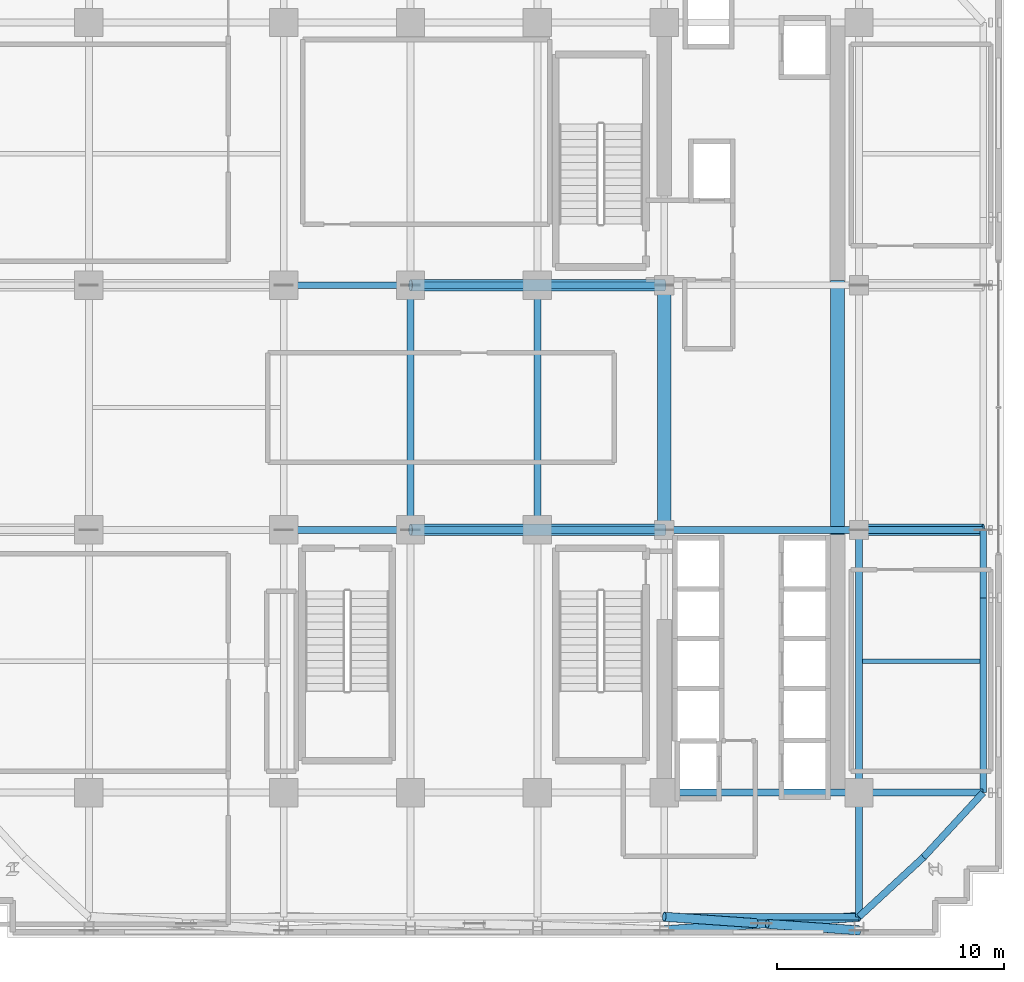
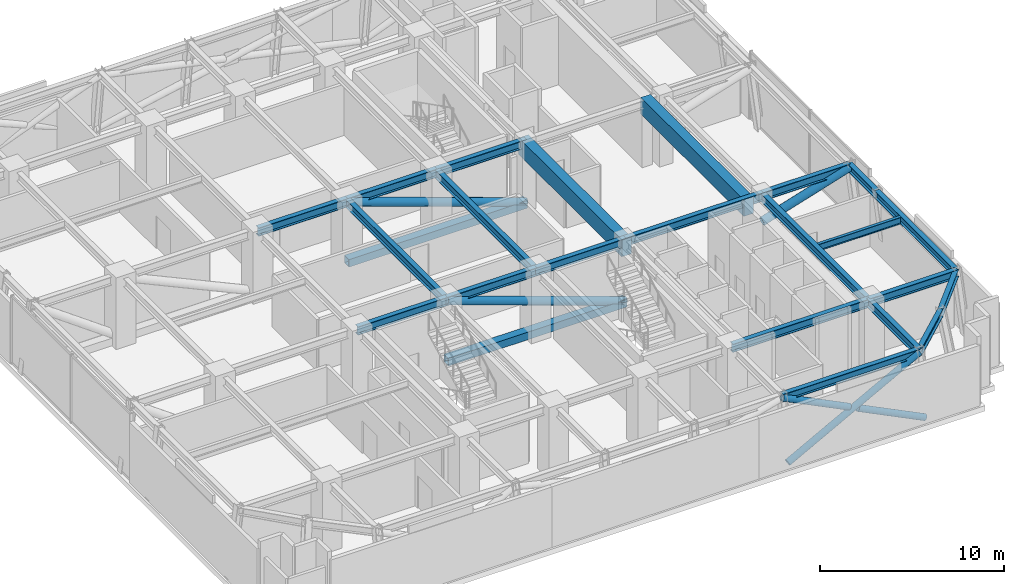
# One storey, part 5 of 15: 22 beams, 8 members.
"""IFC4 building model written with IfcOpenShell, lengths in metres."""

import ifcopenshell
import ifcopenshell.guid

model = None  # the IFC model being written
_history = None  # IfcOwnerHistory: only IFC2X3 demands one
_inside = {}  # id of a spatial element -> (the spatial element, [elements in it])
_under = {}  # id of a project, library or spatial element -> (it, [spatial elements below it])
_declared = {}  # id of a project -> (the project, [libraries it declares])
_typed = {}  # id of a type object -> (the type object, [elements of that type])
_made_of = {}  # id of a material, layer set ... -> (it, [elements and type objects made of it])


def new_model(schema):
    """Start an empty IFC model of exactly this schema.

    Asked for "IFC4X3", IfcOpenShell would pick the latest addendum, in which some entities
    have other attributes; the version numbers below select the first issue.
    IFC2X3 requires an IfcOwnerHistory on every rooted entity: one is made here for all.
    """
    global model, _history
    if schema == "IFC4X3":
        model = ifcopenshell.file(schema_version=(4, 3, 0, 0))
    else:
        model = ifcopenshell.file(schema=schema)
    _inside.clear()
    _under.clear()
    _declared.clear()
    _typed.clear()
    _made_of.clear()
    _history = None
    if model.schema == "IFC2X3":
        org = make("IfcOrganization", Name="unknown")
        user = make(
            "IfcPersonAndOrganization",
            ThePerson=make("IfcPerson", FamilyName="unknown"),
            TheOrganization=org,
        )
        app = make(
            "IfcApplication",
            ApplicationDeveloper=org,
            Version="unknown",
            ApplicationFullName="unknown",
            ApplicationIdentifier="unknown",
        )
        _history = make(
            "IfcOwnerHistory",
            OwningUser=user,
            OwningApplication=app,
            ChangeAction="ADDED",
            CreationDate=0,
        )
    return model


def make(cls, **values):
    """One entity of the class cls with the attributes given. An attribute that is None is left unset."""
    return model.create_entity(
        cls, **{name: value for name, value in values.items() if value is not None}
    )


def rooted(cls, **values):
    """An entity with a GlobalId (a new one), such as an element, a storey or a relation."""
    return make(cls, GlobalId=ifcopenshell.guid.new(), OwnerHistory=_history, **values)


def si_unit(unit_type, name, prefix=None):
    """IfcSIUnit, for example si_unit("LENGTHUNIT", "METRE", prefix="MILLI")."""
    return make("IfcSIUnit", UnitType=unit_type, Prefix=prefix, Name=name)


def assignment(units):
    """IfcUnitAssignment: the units of a project."""
    return None if units is None else make("IfcUnitAssignment", Units=units)


def point(xyz):
    """IfcCartesianPoint."""
    return None if xyz is None else make("IfcCartesianPoint", Coordinates=xyz)


def direction(xyz):
    """IfcDirection."""
    return None if xyz is None else make("IfcDirection", DirectionRatios=xyz)


def frame(location, z_axis=None, x_axis=None):
    """IfcAxis2Placement3D, a coordinate frame: its origin and axes. An axis left out is left unset."""
    return make(
        "IfcAxis2Placement3D",
        Location=point(location),
        Axis=direction(z_axis),
        RefDirection=direction(x_axis),
    )


def frame_2d(location, x_axis=None):
    """IfcAxis2Placement2D, a coordinate frame in the plane: its origin and x axis."""
    return make(
        "IfcAxis2Placement2D", Location=point(location), RefDirection=direction(x_axis)
    )


def origin():
    """The frame at (0, 0, 0) with its axes left unset."""
    return frame((0.0, 0.0, 0.0))


def origin_2d():
    """The frame at (0, 0) in the plane with its x axis left unset."""
    return frame_2d((0.0, 0.0))


def place(relative_to, where):
    """IfcLocalPlacement: puts the frame where relative to a parent placement (None: the world)."""
    return make(
        "IfcLocalPlacement", PlacementRelTo=relative_to, RelativePlacement=where
    )


def context(
    kind, dimensions, precision=None, world=None, true_north=None, identifier=None
):
    """IfcGeometricRepresentationContext, for example the 3D "Model" context."""
    return make(
        "IfcGeometricRepresentationContext",
        ContextIdentifier=identifier,
        ContextType=kind,
        CoordinateSpaceDimension=dimensions,
        Precision=precision,
        WorldCoordinateSystem=world,
        TrueNorth=true_north,
    )


def subcontext(parent, identifier, kind, view, scale=None):
    """IfcGeometricRepresentationSubContext, for example "Body" below "Model"."""
    return make(
        "IfcGeometricRepresentationSubContext",
        ContextIdentifier=identifier,
        ContextType=kind,
        ParentContext=parent,
        TargetScale=scale,
        TargetView=view,
    )


def project(units=None, contexts=None):
    """IfcProject with its units and contexts."""
    return rooted(
        "IfcProject",
        Name="project",
        RepresentationContexts=contexts,
        UnitsInContext=assignment(units),
    )


def spatial(cls, under=None, at=None, **own):
    """A site, building, storey or space (cls), placed at a placement, below another one or the project."""
    s = rooted(cls, ObjectPlacement=at, **own)
    if under is not None:
        _under.setdefault(under.id(), (under, []))[1].append(s)
    return s


def profile(cls, at=None, kind="AREA", **sizes):
    """A parametric profile (cls). Its sizes go by their IFC names, for example OverallWidth=200.0."""
    return make(cls, ProfileType=kind, Position=at, **sizes)


def rectangle(**sizes):
    """IfcRectangleProfileDef."""
    return profile("IfcRectangleProfileDef", **sizes)


def hollow_rectangle(**sizes):
    """IfcRectangleHollowProfileDef."""
    return profile("IfcRectangleHollowProfileDef", **sizes)


def hollow_circle(**sizes):
    """IfcCircleHollowProfileDef."""
    return profile("IfcCircleHollowProfileDef", **sizes)


def i_section(**sizes):
    """IfcIShapeProfileDef."""
    return profile("IfcIShapeProfileDef", **sizes)


def extrude(swept, where, along, depth):
    """IfcExtrudedAreaSolid: the profile swept, set in the frame where, extruded along a direction by depth."""
    return make(
        "IfcExtrudedAreaSolid",
        SweptArea=swept,
        Position=where,
        ExtrudedDirection=direction(along),
        Depth=depth,
    )


def shape(context_of_items, identifier, shape_type, items):
    """IfcShapeRepresentation: the items that make up one representation, for example the "Body"."""
    return make(
        "IfcShapeRepresentation",
        ContextOfItems=context_of_items,
        RepresentationIdentifier=identifier,
        RepresentationType=shape_type,
        Items=items,
    )


def source(mapping_origin, context_of_items, identifier, shape_type, items):
    """IfcRepresentationMap: a shape defined once, which mapped items show again and again."""
    return make(
        "IfcRepresentationMap",
        MappingOrigin=mapping_origin,
        MappedRepresentation=shape(context_of_items, identifier, shape_type, items),
    )


def transform(
    local_origin,
    x_axis=None,
    y_axis=None,
    z_axis=None,
    scale=None,
    scale2=None,
    scale3=None,
    uniform=True,
):
    """IfcCartesianTransformationOperator3D, or its non-uniform kind. x_axis, y_axis, z_axis: its Axis1, 2, 3."""
    if uniform:
        return make(
            "IfcCartesianTransformationOperator3D",
            Axis1=direction(x_axis),
            Axis2=direction(y_axis),
            LocalOrigin=point(local_origin),
            Scale=scale,
            Axis3=direction(z_axis),
        )
    return make(
        "IfcCartesianTransformationOperator3DnonUniform",
        Axis1=direction(x_axis),
        Axis2=direction(y_axis),
        LocalOrigin=point(local_origin),
        Scale=scale,
        Axis3=direction(z_axis),
        Scale2=scale2,
        Scale3=scale3,
    )


def mapped(mapping_source, mapping_target):
    """IfcMappedItem: shows the shape of a source again, moved by a transform."""
    return make(
        "IfcMappedItem", MappingSource=mapping_source, MappingTarget=mapping_target
    )


def material(Name=None, Category=None):
    """IfcMaterial."""
    return make("IfcMaterial", Name=Name, Category=Category)


def material_profile(
    of_material, cross_section, Name=None, Category=None, Priority=None
):
    """IfcMaterialProfile: a cross section and its material."""
    return make(
        "IfcMaterialProfile",
        Name=Name,
        Material=of_material,
        Profile=cross_section,
        Priority=Priority,
        Category=Category,
    )


def profile_set(profiles, Name=None, composite=None):
    """IfcMaterialProfileSet."""
    return make(
        "IfcMaterialProfileSet",
        Name=Name,
        MaterialProfiles=profiles,
        CompositeProfile=composite,
    )


def made_of(thing, what):
    """Note that an element or type object is made of a material, layer set ...; save() writes the relation."""
    if what is not None:
        _made_of.setdefault(what.id(), (what, []))[1].append(thing)
    return thing


def type_object(cls, material=None, **own):
    """A type object (cls), such as IfcWallType, which elements share."""
    return made_of(rooted(cls, **own), material)


def element(
    cls,
    number,
    at=None,
    inside=None,
    cuts=None,
    type_object=None,
    material=None,
    context=None,
    identifier="Body",
    shape_type=None,
    held_by="IfcProductDefinitionShape",
    body=None,
    shapes=None,
    **own,
):
    """One element of the class cls, such as IfcWall. Its Tag is "e" and its number.

    at: its placement. inside: the storey or other place that contains it. cuts: it is an
    opening in that element (IfcRelVoidsElement). A single representation is given by context,
    identifier, shape_type and body (its items); several are given by shapes. held_by: the class
    of the entity that holds the representations. save() writes the other relations.
    """
    e = rooted(cls, Tag="e%d" % number, ObjectPlacement=at, **own)
    if body is not None:
        shapes = [shape(context, identifier, shape_type, body)]
    if shapes is not None:
        e.Representation = make(held_by, Representations=shapes)
    if inside is not None:
        _inside.setdefault(inside.id(), (inside, []))[1].append(e)
    if cuts is not None:
        rooted(
            "IfcRelVoidsElement", RelatingBuildingElement=cuts, RelatedOpeningElement=e
        )
    if type_object is not None:
        _typed.setdefault(type_object.id(), (type_object, []))[1].append(e)
    return made_of(e, material)


def aggregate(whole, parts):
    """IfcRelAggregates: a whole, such as a stair, and the parts it consists of."""
    return rooted("IfcRelAggregates", RelatingObject=whole, RelatedObjects=parts)


def save(model, path):
    """Write the relations noted so far, then the file.

    IfcRelAggregates (storeys below a building ...), IfcRelContainedInSpatialStructure (elements
    in a storey), IfcRelDefinesByType, IfcRelAssociatesMaterial and IfcRelDeclares: one each for
    every whole, place, type object, material and project.
    """
    for whole, parts in _under.values():
        aggregate(whole, parts)
    for where, things in _inside.values():
        rooted(
            "IfcRelContainedInSpatialStructure",
            RelatedElements=things,
            RelatingStructure=where,
        )
    for kind, things in _typed.values():
        rooted("IfcRelDefinesByType", RelatedObjects=things, RelatingType=kind)
    for what, things in _made_of.values():
        rooted("IfcRelAssociatesMaterial", RelatedObjects=things, RelatingMaterial=what)
    for by, libraries in _declared.values():
        rooted("IfcRelDeclares", RelatingContext=by, RelatedDefinitions=libraries)
    model.write(path)


model = new_model("IFC4")

# Units and contexts
model_context = context("Model", 3, precision=1e-05, world=origin(), true_north=direction((0.0, 1.0)))
body_context = subcontext(model_context, "Body", "Model", "MODEL_VIEW")
ifc_project = project(units=[si_unit("LENGTHUNIT", "METRE"), si_unit("AREAUNIT", "SQUARE_METRE"), si_unit("VOLUMEUNIT", "CUBIC_METRE"), si_unit("PLANEANGLEUNIT", "RADIAN"), si_unit("MASSUNIT", "GRAM", prefix="KILO")], contexts=[model_context])

# Site, building, storey
site_placement = place(None, origin())
site = spatial("IfcSite", under=ifc_project, at=site_placement, CompositionType="ELEMENT")
building_placement = place(site_placement, origin())
building = spatial("IfcBuilding", under=site, at=building_placement, Name="Nahalor Promenade Grand Hotel", CompositionType="ELEMENT")
storey_placement = place(building_placement, frame((0.0, 0.0, 144.199951171875)))
storey = spatial("IfcBuildingStorey", under=building, at=storey_placement, Name="L36", CompositionType="ELEMENT", Elevation=144.199951171875)

# Beams
ifc_material_1 = material(Name="Concrete B-60 (C50/60)", Category="concrete")
ifc_material_profile_1 = material_profile(ifc_material_1, rectangle(XDim=0.6, YDim=1.1, at=origin_2d()), Name="RC 600x1100")
ifc_profile_set_1 = profile_set([ifc_material_profile_1], Name="Concrete B-60 (C50/60)")
beam_type_1 = type_object("IfcBeamType", Name="Beam-Lintel-RC1100", PredefinedType="LINTEL", material=ifc_profile_set_1)
shared_shape_1 = source(origin(), body_context, "Body", "SweptSolid", [
    extrude(rectangle(XDim=0.6, YDim=1.1, at=origin_2d()), origin(), (0.0, 0.0, 1.0), 11.2001953125),
])
for number, where, z_axis, x_axis, name in (
    (1, (8.39990234375, -5.60009765625, 3.989990234375), (0.0, 1.0, 0.0), (-1.0, 0.0, 0.0), "BM-L36-LINT-W"),
    (2, (16.050048828125, -5.60009765625, 3.989990234375), (0.0, 1.0, 0.0), (-1.0, 0.0, 0.0), "BM-L36-LINT-E"),
):
    element("IfcBeam", number, at=place(storey_placement, frame(where, z_axis=z_axis, x_axis=x_axis)), inside=storey, type_object=beam_type_1, Name=name, PredefinedType="LINTEL", context=body_context, shape_type="MappedRepresentation", body=[
        mapped(shared_shape_1, transform((0.0, 0.0, 0.0), scale=1.0)),
    ])
ifc_material_2 = material(Name="Steel S355JR", Category="steel")
ifc_material_profile_2 = material_profile(ifc_material_2, i_section(OverallWidth=0.3, OverallDepth=0.5, WebThickness=0.0145, FlangeThickness=0.028, at=origin_2d()), Name="HEB 500")
ifc_profile_set_2 = profile_set([ifc_material_profile_2], Name="Steel S355JR")
beam_type_2 = type_object("IfcBeamType", Name="Beam-Spandrel-HEB500", PredefinedType="SPANDREL", material=ifc_profile_set_2)
shared_shape_2 = source(origin(), body_context, "Body", "SweptSolid", [
    extrude(i_section(OverallWidth=0.3, OverallDepth=0.5, WebThickness=0.0145, FlangeThickness=0.028, at=origin_2d()), origin(), (0.0, 0.0, 1.0), 8.60009765625),
])
for number, where, z_axis, x_axis, name in (
    (3, (8.39990234375, -22.47998046875, 4.2900390625), (1.0, 0.0, 0.0), (0.0, 1.0, 0.0), "BM-L36-SP-S-4"),
    (4, (22.47998046875, -17.0, 4.2900390625), (0.0, 1.0, 0.0), (-1.0, 0.0, 0.0), "BM-L36-SP-E-0"),
):
    element("IfcBeam", number, at=place(storey_placement, frame(where, z_axis=z_axis, x_axis=x_axis)), inside=storey, type_object=beam_type_2, Name=name, PredefinedType="SPANDREL", context=body_context, shape_type="MappedRepresentation", body=[
        mapped(shared_shape_2, transform((0.0, 0.0, 0.0), scale=1.0)),
    ])
shared_shape_3 = source(origin(), body_context, "Body", "SweptSolid", [
    extrude(i_section(OverallWidth=0.3, OverallDepth=0.5, WebThickness=0.0145, FlangeThickness=0.028, at=origin_2d()), origin(), (0.0, 0.0, 1.0), 3.0),
])
beam_1_placement = place(storey_placement, frame((22.47998046875, -8.39990234375, 4.2900390625), z_axis=(0.0, 1.0, 0.0), x_axis=(-1.0, 0.0, 0.0)))
element("IfcBeam", 5, at=beam_1_placement, inside=storey, type_object=beam_type_2, Name="BM-L36-SP-E-1", PredefinedType="SPANDREL", context=body_context, shape_type="MappedRepresentation", body=[
    mapped(shared_shape_3, transform((0.0, 0.0, 0.0), scale=1.0)),
])
ifc_material_profile_3 = material_profile(ifc_material_2, i_section(OverallWidth=0.3, OverallDepth=0.55, WebThickness=0.015, FlangeThickness=0.029, at=origin_2d()), Name="HEB 550")
ifc_profile_set_3 = profile_set([ifc_material_profile_3], Name="Steel S355JR")
beam_type_3 = type_object("IfcBeamType", Name="Beam-Girder-HEB550", PredefinedType="BEAM", material=ifc_profile_set_3)
shared_shape_4 = source(origin(), body_context, "Body", "SweptSolid", [
    extrude(i_section(OverallWidth=0.3, OverallDepth=0.55, WebThickness=0.015, FlangeThickness=0.029, at=origin_2d()), origin(), (0.0, 0.0, 1.0), 8.60009765625),
])
for number, where, z_axis, x_axis, name in (
    (6, (8.39990234375, -17.0, 4.26513671875), (1.0, 0.0, 0.0), (0.0, 1.0, 0.0), "BM-L36-GX-0-5"),
    (7, (8.39990234375, -5.39990234375, 4.26513671875), (1.0, 0.0, 0.0), (0.0, 1.0, 0.0), "BM-L36-GX-1-5"),
):
    element("IfcBeam", number, at=place(storey_placement, frame(where, z_axis=z_axis, x_axis=x_axis)), inside=storey, type_object=beam_type_3, Name=name, PredefinedType="BEAM", context=body_context, shape_type="MappedRepresentation", body=[
        mapped(shared_shape_4, transform((0.0, 0.0, 0.0), scale=1.0)),
    ])
shared_shape_5 = source(origin(), body_context, "Body", "SweptSolid", [
    extrude(i_section(OverallWidth=0.3, OverallDepth=0.55, WebThickness=0.015, FlangeThickness=0.029, at=origin_2d()), origin(), (0.0, 0.0, 1.0), 5.599853515625),
])
for number, where, z_axis, x_axis, name in (
    (8, (-8.39990234375, -5.39990234375, 4.26513671875), (1.0, 0.0, 0.0), (0.0, 1.0, 0.0), "BM-L36-GX-1-2"),
    (9, (2.800048828125, -5.39990234375, 4.26513671875), (1.0, 0.0, 0.0), (0.0, 1.0, 0.0), "BM-L36-GX-1-4"),
    (10, (-8.39990234375, 5.39990234375, 4.26513671875), (1.0, 0.0, 0.0), (0.0, 1.0, 0.0), "BM-L36-GX-2-2"),
    (11, (2.800048828125, 5.39990234375, 4.26513671875), (1.0, 0.0, 0.0), (0.0, 1.0, 0.0), "BM-L36-GX-2-4"),
):
    element("IfcBeam", number, at=place(storey_placement, frame(where, z_axis=z_axis, x_axis=x_axis)), inside=storey, type_object=beam_type_3, Name=name, PredefinedType="BEAM", context=body_context, shape_type="MappedRepresentation", body=[
        mapped(shared_shape_5, transform((0.0, 0.0, 0.0), scale=1.0)),
    ])
shared_shape_6 = source(origin(), body_context, "Body", "SweptSolid", [
    extrude(i_section(OverallWidth=0.3, OverallDepth=0.55, WebThickness=0.015, FlangeThickness=0.029, at=origin_2d()), origin(), (0.0, 0.0, 1.0), 5.60009765625),
])
for number, where, z_axis, x_axis, name in (
    (12, (-2.800048828125, -5.39990234375, 4.26513671875), (1.0, 0.0, 0.0), (0.0, 1.0, 0.0), "BM-L36-GX-1-3"),
    (13, (-2.800048828125, 5.39990234375, 4.26513671875), (1.0, 0.0, 0.0), (0.0, 1.0, 0.0), "BM-L36-GX-2-3"),
):
    element("IfcBeam", number, at=place(storey_placement, frame(where, z_axis=z_axis, x_axis=x_axis)), inside=storey, type_object=beam_type_3, Name=name, PredefinedType="BEAM", context=body_context, shape_type="MappedRepresentation", body=[
        mapped(shared_shape_6, transform((0.0, 0.0, 0.0), scale=1.0)),
    ])
shared_shape_7 = source(origin(), body_context, "Body", "SweptSolid", [
    extrude(i_section(OverallWidth=0.3, OverallDepth=0.55, WebThickness=0.015, FlangeThickness=0.029, at=origin_2d()), origin(), (0.0, 0.0, 1.0), 11.60009765625),
])
beam_2_placement = place(storey_placement, frame((17.0, -17.0, 4.26513671875), z_axis=(0.0, 1.0, 0.0), x_axis=(-1.0, 0.0, 0.0)))
element("IfcBeam", 14, at=beam_2_placement, inside=storey, type_object=beam_type_3, Name="BM-L36-GY-5-1", PredefinedType="BEAM", context=body_context, shape_type="MappedRepresentation", body=[
    mapped(shared_shape_7, transform((0.0, 0.0, 0.0), scale=1.0)),
])
shared_shape_8 = source(origin(), body_context, "Body", "SweptSolid", [
    extrude(i_section(OverallWidth=0.3, OverallDepth=0.55, WebThickness=0.015, FlangeThickness=0.029, at=origin_2d()), origin(), (0.0, 0.0, 1.0), 10.7998046875),
])
for number, where, z_axis, x_axis, name in (
    (15, (-2.800048828125, -5.39990234375, 4.26513671875), (0.0, 1.0, 0.0), (-1.0, 0.0, 0.0), "BM-L36-GY-2-2"),
    (16, (2.800048828125, -5.39990234375, 4.26513671875), (0.0, 1.0, 0.0), (-1.0, 0.0, 0.0), "BM-L36-GY-3-2"),
):
    element("IfcBeam", number, at=place(storey_placement, frame(where, z_axis=z_axis, x_axis=x_axis)), inside=storey, type_object=beam_type_3, Name=name, PredefinedType="BEAM", context=body_context, shape_type="MappedRepresentation", body=[
        mapped(shared_shape_8, transform((0.0, 0.0, 0.0), scale=1.0)),
    ])
shared_shape_9 = source(origin(), body_context, "Body", "SweptSolid", [
    extrude(i_section(OverallWidth=0.3, OverallDepth=0.55, WebThickness=0.015, FlangeThickness=0.029, at=origin_2d()), origin(), (0.0, 0.0, 1.0), 5.47998046875),
])
for number, where, z_axis, x_axis, name in (
    (17, (17.0, -17.0, 4.26513671875), (1.0, 0.0, 0.0), (0.0, 1.0, 0.0), "BM-L36-GX-0-6"),
    (18, (17.0, -5.39990234375, 4.26513671875), (1.0, 0.0, 0.0), (0.0, 1.0, 0.0), "BM-L36-GX-1-6"),
    (19, (17.0, -22.47998046875, 4.26513671875), (0.0, 1.0, 0.0), (-1.0, 0.0, 0.0), "BM-L36-GY-5-0"),
):
    element("IfcBeam", number, at=place(storey_placement, frame(where, z_axis=z_axis, x_axis=x_axis)), inside=storey, type_object=beam_type_3, Name=name, PredefinedType="BEAM", context=body_context, shape_type="MappedRepresentation", body=[
        mapped(shared_shape_9, transform((0.0, 0.0, 0.0), scale=1.0)),
    ])
shared_shape_10 = source(origin(), body_context, "Body", "SweptSolid", [
    extrude(i_section(OverallWidth=0.3, OverallDepth=0.5, WebThickness=0.0145, FlangeThickness=0.028, at=origin_2d()), origin(), (0.0, 0.0, 1.0), 3.878173828125),
])
for number, where, z_axis, x_axis, name in (
    (20, (17.0, -22.47998046875, 4.2900390625), (0.73492893846, 0.678144125843, 0.0), (-0.678144125843, 0.73492893846, 0.0), "BM-L36-SPC-SE-1"),
    (21, (19.85009765625, -19.85009765625, 4.2900390625), (0.678144125843, 0.73492893846, 0.0), (-0.73492893846, 0.678144125843, 0.0), "BM-L36-SPC-SE-2"),
):
    element("IfcBeam", number, at=place(storey_placement, frame(where, z_axis=z_axis, x_axis=x_axis)), inside=storey, type_object=beam_type_2, Name=name, PredefinedType="SPANDREL", context=body_context, shape_type="MappedRepresentation", body=[
        mapped(shared_shape_10, transform((0.0, 0.0, 0.0), scale=1.0)),
    ])
ifc_material_profile_4 = material_profile(ifc_material_2, i_section(OverallWidth=0.19, OverallDepth=0.45, WebThickness=0.0094, FlangeThickness=0.0146, at=origin_2d()), Name="IPE 450")
ifc_profile_set_4 = profile_set([ifc_material_profile_4], Name="Steel S355JR")
beam_type_4 = type_object("IfcBeamType", Name="Beam-Joist-IPE450", PredefinedType="JOIST", material=ifc_profile_set_4)
shared_shape_11 = source(origin(), body_context, "Body", "SweptSolid", [
    extrude(i_section(OverallWidth=0.19, OverallDepth=0.45, WebThickness=0.0094, FlangeThickness=0.0146, at=origin_2d()), origin(), (0.0, 0.0, 1.0), 5.18017578125),
])
beam_3_placement = place(storey_placement, frame((17.14990234375, -11.199951171875, 4.31494140625), z_axis=(1.0, 0.0, 0.0), x_axis=(0.0, 1.0, 0.0)))
element("IfcBeam", 22, at=beam_3_placement, inside=storey, type_object=beam_type_4, Name="BM-L36-JSE-0-2", PredefinedType="JOIST", context=body_context, shape_type="MappedRepresentation", body=[
    mapped(shared_shape_11, transform((0.0, 0.0, 0.0), scale=1.0)),
])

# Members
ifc_material_3 = material(Name="Steel S355J2", Category="steel")
ifc_material_profile_5 = material_profile(ifc_material_3, hollow_circle(Radius=0.254, WallThickness=0.025, at=origin_2d()), Name="CHS 508x25")
ifc_profile_set_5 = profile_set([ifc_material_profile_5], Name="Steel S355J2")
member_type_1 = type_object("IfcMemberType", Name="Mem-OutDiag-CHS508", PredefinedType="BRACE", material=ifc_profile_set_5)
shared_shape_12 = source(origin(), body_context, "Body", "SweptSolid", [
    extrude(hollow_circle(Radius=0.254, WallThickness=0.025, at=origin_2d()), origin(), (0.0, 0.0, 1.0), 11.8759765625),
])
for number, where, z_axis, x_axis, name in (
    (23, (8.39990234375, -5.39990234375, 0.300048828125), (-0.943068868052, 0.0, 0.3325975197), (0.0, -1.0, 0.0), "OU-L36-W1-D0"),
    (24, (8.39990234375, 5.39990234375, 0.300048828125), (-0.943068868052, 0.0, 0.3325975197), (0.0, -1.0, 0.0), "OU-L36-W2-D0"),
):
    element("IfcMember", number, at=place(storey_placement, frame(where, z_axis=z_axis, x_axis=x_axis)), inside=storey, type_object=member_type_1, Name=name, PredefinedType="BRACE", context=body_context, shape_type="MappedRepresentation", body=[
        mapped(shared_shape_12, transform((0.0, 0.0, 0.0), scale=1.0)),
    ])
ifc_material_profile_6 = material_profile(ifc_material_3, hollow_rectangle(XDim=0.5, YDim=0.5, WallThickness=0.032, at=origin_2d()), Name="SHS 500x500x32")
ifc_profile_set_6 = profile_set([ifc_material_profile_6], Name="Steel S355J2")
member_type_2 = type_object("IfcMemberType", Name="Mem-Chord-SHS500", PredefinedType="CHORD", material=ifc_profile_set_6)
shared_shape_13 = source(origin(), body_context, "Body", "SweptSolid", [
    extrude(hollow_rectangle(XDim=0.5, YDim=0.5, WallThickness=0.032, at=origin_2d()), origin(), (0.0, 0.0, 1.0), 11.199951171875),
])
for number, where, z_axis, x_axis, name in (
    (25, (8.39990234375, -5.39990234375, 0.300048828125), (-1.0, 0.0, 0.0), (0.0, -1.0, 0.0), "OU-L36-W1-C0"),
    (26, (8.39990234375, 5.39990234375, 0.300048828125), (-1.0, 0.0, 0.0), (0.0, -1.0, 0.0), "OU-L36-W2-C0"),
):
    element("IfcMember", number, at=place(storey_placement, frame(where, z_axis=z_axis, x_axis=x_axis)), inside=storey, type_object=member_type_2, Name=name, PredefinedType="CHORD", context=body_context, shape_type="MappedRepresentation", body=[
        mapped(shared_shape_13, transform((0.0, 0.0, 0.0), scale=1.0)),
    ])
ifc_material_profile_7 = material_profile(ifc_material_3, hollow_circle(Radius=0.2032, WallThickness=0.02, at=origin_2d()), Name="CHS 406.4x20")
ifc_profile_set_7 = profile_set([ifc_material_profile_7], Name="Steel S355J2")
member_type_3 = type_object("IfcMemberType", Name="Mem-BeltDiag-CHS406", PredefinedType="BRACE", material=ifc_profile_set_7)
shared_shape_14 = source(origin(), body_context, "Body", "SweptSolid", [
    extrude(hollow_circle(Radius=0.2032, WallThickness=0.02, at=origin_2d()), origin(), (0.0, 0.0, 1.0), 9.48291015625),
])
member_1_placement = place(storey_placement, frame((8.39990234375, -23.080078125, 0.300048828125), z_axis=(0.906913337455, 0.063282603289, 0.416537525881), x_axis=(-0.069608749203, 0.997574369175, 0.0)))
element("IfcMember", 27, at=member_1_placement, inside=storey, type_object=member_type_3, Name="BT-L36-S-D1-2", PredefinedType="BRACE", context=body_context, shape_type="MappedRepresentation", body=[
    mapped(shared_shape_14, transform((0.0, 0.0, 0.0), scale=1.0)),
])
shared_shape_15 = source(origin(), body_context, "Body", "SweptSolid", [
    extrude(hollow_circle(Radius=0.2032, WallThickness=0.02, at=origin_2d()), origin(), (0.0, 0.0, 1.0), 4.46240234375),
])
member_2_placement = place(storey_placement, frame((12.447021484375, -22.762451171875, 2.391357421875), z_axis=(-0.906926357608, 0.063299378401, 0.416506627283), x_axis=(-0.069626117078, -0.997573157127, 0.0)))
element("IfcMember", 28, at=member_2_placement, inside=storey, type_object=member_type_3, Name="BT-L36-S-D2-2B", PredefinedType="BRACE", context=body_context, shape_type="MappedRepresentation", body=[
    mapped(shared_shape_15, transform((0.0, 0.0, 0.0), scale=1.0)),
])
shared_shape_16 = source(origin(), body_context, "Body", "SweptSolid", [
    extrude(hollow_circle(Radius=0.2032, WallThickness=0.02, at=origin_2d()), origin(), (0.0, 0.0, 1.0), 4.462646484375),
])
member_3_placement = place(storey_placement, frame((17.0, -23.080078125, 0.300048828125), z_axis=(-0.906905690785, 0.06329793595, 0.416551844703), x_axis=(-0.069626117078, -0.997573157127, 0.0)))
element("IfcMember", 29, at=member_3_placement, inside=storey, type_object=member_type_3, Name="BT-L36-S-D2-2A", PredefinedType="BRACE", context=body_context, shape_type="MappedRepresentation", body=[
    mapped(shared_shape_16, transform((0.0, 0.0, 0.0), scale=1.0)),
])
shared_shape_17 = source(origin(), body_context, "Body", "SweptSolid", [
    extrude(hollow_circle(Radius=0.254, WallThickness=0.025, at=origin_2d()), origin(), (0.0, 0.0, 1.0), 5.737548828125),
])
member_4_placement = place(storey_placement, frame((17.0, -5.39990234375, 2.550048828125), z_axis=(0.955100265777, 0.0, 0.296282774241), x_axis=(0.0, 1.0, 0.0)))
element("IfcMember", 30, at=member_4_placement, inside=storey, type_object=member_type_1, Name="OU-L36-E1-D0", PredefinedType="BRACE", context=body_context, shape_type="MappedRepresentation", body=[
    mapped(shared_shape_17, transform((0.0, 0.0, 0.0), scale=1.0)),
])

save(model, "model.ifc")
